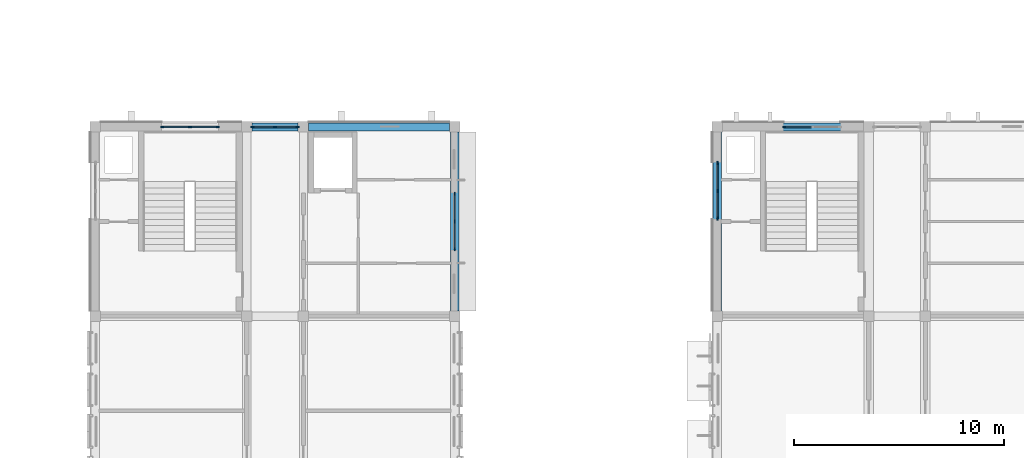
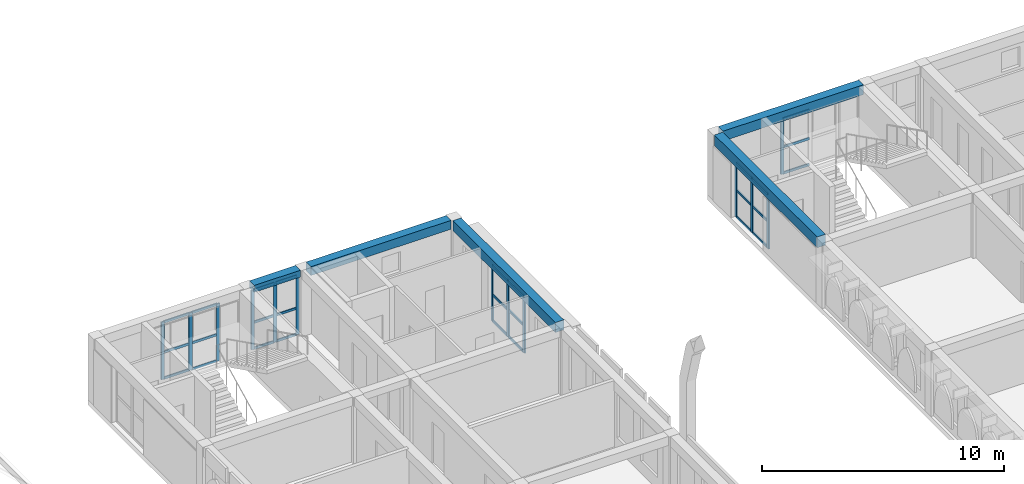
# One storey, part 27 of 65: 40 members, 5 beams, 5 elements without a shape of their own.
"""IFC4 building model written with IfcOpenShell, lengths in metres."""

from ifc_helpers import new_model, si_unit, direction, frame, origin, origin_2d, place, context, subcontext, project, spatial, rectangle, extrude, material, layer, layer_set, material_profile, profile_set, type_object, element, aggregate, save


model = new_model("IFC4")

# Units and contexts
model_context = context("Model", 3, precision=1e-05, world=origin(), true_north=direction((0.0, 1.0)))
body_context = subcontext(model_context, "Body", "Model", "MODEL_VIEW")
ifc_project = project(units=[si_unit("LENGTHUNIT", "METRE"), si_unit("AREAUNIT", "SQUARE_METRE"), si_unit("VOLUMEUNIT", "CUBIC_METRE"), si_unit("PLANEANGLEUNIT", "RADIAN"), si_unit("MASSUNIT", "GRAM", prefix="KILO")], contexts=[model_context])

# Site, building, storey
site_placement = place(None, origin())
site = spatial("IfcSite", under=ifc_project, at=site_placement, CompositionType="ELEMENT")
building_placement = place(site_placement, origin())
building = spatial("IfcBuilding", under=site, at=building_placement, Name="Elbe Cascade School", CompositionType="ELEMENT")
storey_placement = place(building_placement, frame((0.0, 0.0, 11.699951171875)))
storey = spatial("IfcBuildingStorey", under=building, at=storey_placement, Name="L03", CompositionType="ELEMENT", Elevation=11.699951171875)

# Curtain wall, members
ifc_material_1 = material(Name="Aluminium frame with double glazing, bronze anodised", Category="aluminium")
ifc_layer = layer(ifc_material_1, 0.159912109375)
ifc_layer_set = layer_set([ifc_layer], Name="Aluminium frame with double glazing, bronze anodised")
curtain_wall_type = type_object("IfcCurtainWallType", Name="Bars envelope Curtain wall, aluminium, bronze anodised, storey-high slot", PredefinedType="NOTDEFINED", material=ifc_layer_set)
curtain_wall_1_placement = place(storey_placement, origin())
curtain_wall_1 = element("IfcCurtainWall", 1, at=curtain_wall_1_placement, inside=storey, type_object=curtain_wall_type, Name="Curtain wall CW4 A.L03.e6", PredefinedType="NOTDEFINED")
ifc_material_2 = material(Name="Aluminium mullion, bronze anodised", Category="aluminium")
ifc_material_profile_1 = material_profile(ifc_material_2, rectangle(XDim=0.06005859375, YDim=0.159912109375, at=origin_2d()), Name="Bars envelope Curtain wall mullion 60 x 160, aluminium, storey-high slot")
ifc_profile_set_1 = profile_set([ifc_material_profile_1], Name="Aluminium mullion, bronze anodised")
member_type_1 = type_object("IfcMemberType", Name="Bars envelope Curtain wall mullion 60 x 160, aluminium, storey-high slot", PredefinedType="MULLION", material=ifc_profile_set_1)
member_1_placement = place(storey_placement, frame((86.10009765625, 56.820068359375, 0.0), z_axis=(0.0, 0.0, 1.0), x_axis=(1.0, 0.0, 0.0)))
member_1 = element("IfcMember", 2, at=member_1_placement, type_object=member_type_1, Name="CW4 mullion 1", PredefinedType="MULLION", context=body_context, shape_type="SweptSolid", body=[
    extrude(rectangle(XDim=0.06005859375, YDim=0.159912109375, at=origin_2d()), origin(), (0.0, 0.0, 1.0), 2.85009765625),
])
member_2_placement = place(storey_placement, frame((86.10009765625, 55.5, 0.0), z_axis=(0.0, 0.0, 1.0), x_axis=(1.0, 0.0, 0.0)))
member_2 = element("IfcMember", 3, at=member_2_placement, type_object=member_type_1, Name="CW4 mullion 2", PredefinedType="MULLION", context=body_context, shape_type="SweptSolid", body=[
    extrude(rectangle(XDim=0.06005859375, YDim=0.159912109375, at=origin_2d()), origin(), (0.0, 0.0, 1.0), 2.85009765625),
])
member_3_placement = place(storey_placement, frame((86.10009765625, 54.179931640625, 0.0), z_axis=(0.0, 0.0, 1.0), x_axis=(1.0, 0.0, 0.0)))
member_3 = element("IfcMember", 4, at=member_3_placement, type_object=member_type_1, Name="CW4 mullion 3", PredefinedType="MULLION", context=body_context, shape_type="SweptSolid", body=[
    extrude(rectangle(XDim=0.06005859375, YDim=0.159912109375, at=origin_2d()), origin(), (0.0, 0.0, 1.0), 2.85009765625),
])

curtain_wall_2_placement = place(storey_placement, origin())
curtain_wall_2 = element("IfcCurtainWall", 5, at=curtain_wall_2_placement, inside=storey, type_object=curtain_wall_type, Name="Curtain wall CW4 A.L03.n1", PredefinedType="NOTDEFINED")
member_4_placement = place(storey_placement, frame((72.179931640625, 60.0, 0.0), z_axis=(0.0, 0.0, 1.0), x_axis=(0.0, 1.0, 0.0)))
member_4 = element("IfcMember", 6, at=member_4_placement, type_object=member_type_1, Name="CW4 mullion 1", PredefinedType="MULLION", context=body_context, shape_type="SweptSolid", body=[
    extrude(rectangle(XDim=0.06005859375, YDim=0.159912109375, at=origin_2d()), origin(), (0.0, 0.0, 1.0), 2.900146484375),
])
member_5_placement = place(storey_placement, frame((73.5, 60.0, 0.0), z_axis=(0.0, 0.0, 1.0), x_axis=(0.0, 1.0, 0.0)))
member_5 = element("IfcMember", 7, at=member_5_placement, type_object=member_type_1, Name="CW4 mullion 2", PredefinedType="MULLION", context=body_context, shape_type="SweptSolid", body=[
    extrude(rectangle(XDim=0.06005859375, YDim=0.159912109375, at=origin_2d()), origin(), (0.0, 0.0, 1.0), 2.900146484375),
])
member_6_placement = place(storey_placement, frame((74.820068359375, 60.0, 0.0), z_axis=(0.0, 0.0, 1.0), x_axis=(0.0, 1.0, 0.0)))
member_6 = element("IfcMember", 8, at=member_6_placement, type_object=member_type_1, Name="CW4 mullion 3", PredefinedType="MULLION", context=body_context, shape_type="SweptSolid", body=[
    extrude(rectangle(XDim=0.06005859375, YDim=0.159912109375, at=origin_2d()), origin(), (0.0, 0.0, 1.0), 2.900146484375),
])

curtain_wall_3_placement = place(storey_placement, origin())
curtain_wall_3 = element("IfcCurtainWall", 9, at=curtain_wall_3_placement, inside=storey, type_object=curtain_wall_type, Name="Curtain wall CW4 A.L03.n2", PredefinedType="NOTDEFINED")
member_7_placement = place(storey_placement, frame((76.47998046875, 60.0, 0.0), z_axis=(0.0, 0.0, 1.0), x_axis=(0.0, 1.0, 0.0)))
member_7 = element("IfcMember", 10, at=member_7_placement, type_object=member_type_1, Name="CW4 mullion 1", PredefinedType="MULLION", context=body_context, shape_type="SweptSolid", body=[
    extrude(rectangle(XDim=0.06005859375, YDim=0.159912109375, at=origin_2d()), origin(), (0.0, 0.0, 1.0), 3.0),
])
member_8_placement = place(storey_placement, frame((77.550048828125, 60.0, 0.0), z_axis=(0.0, 0.0, 1.0), x_axis=(0.0, 1.0, 0.0)))
member_8 = element("IfcMember", 11, at=member_8_placement, type_object=member_type_1, Name="CW4 mullion 2", PredefinedType="MULLION", context=body_context, shape_type="SweptSolid", body=[
    extrude(rectangle(XDim=0.06005859375, YDim=0.159912109375, at=origin_2d()), origin(), (0.0, 0.0, 1.0), 3.0),
])
member_9_placement = place(storey_placement, frame((78.6201171875, 60.0, 0.0), z_axis=(0.0, 0.0, 1.0), x_axis=(0.0, 1.0, 0.0)))
member_9 = element("IfcMember", 12, at=member_9_placement, type_object=member_type_1, Name="CW4 mullion 3", PredefinedType="MULLION", context=body_context, shape_type="SweptSolid", body=[
    extrude(rectangle(XDim=0.06005859375, YDim=0.159912109375, at=origin_2d()), origin(), (0.0, 0.0, 1.0), 3.0),
])

curtain_wall_4_placement = place(storey_placement, origin())
curtain_wall_4 = element("IfcCurtainWall", 13, at=curtain_wall_4_placement, inside=storey, type_object=curtain_wall_type, Name="Curtain wall CW4 B.L03.w6", PredefinedType="NOTDEFINED")
member_10_placement = place(storey_placement, frame((98.60009765625, 55.639892578125, 0.0), z_axis=(0.0, 0.0, 1.0), x_axis=(-1.0, 0.0, 0.0)))
member_10 = element("IfcMember", 14, at=member_10_placement, type_object=member_type_1, Name="CW4 mullion 1", PredefinedType="MULLION", context=body_context, shape_type="SweptSolid", body=[
    extrude(rectangle(XDim=0.06005859375, YDim=0.159912109375, at=origin_2d()), origin(), (0.0, 0.0, 1.0), 2.75),
])
member_11_placement = place(storey_placement, frame((98.60009765625, 56.9599609375, 0.0), z_axis=(0.0, 0.0, 1.0), x_axis=(-1.0, 0.0, 0.0)))
member_11 = element("IfcMember", 15, at=member_11_placement, type_object=member_type_1, Name="CW4 mullion 2", PredefinedType="MULLION", context=body_context, shape_type="SweptSolid", body=[
    extrude(rectangle(XDim=0.06005859375, YDim=0.159912109375, at=origin_2d()), origin(), (0.0, 0.0, 1.0), 2.75),
])
member_12_placement = place(storey_placement, frame((98.60009765625, 58.280029296875, 0.0), z_axis=(0.0, 0.0, 1.0), x_axis=(-1.0, 0.0, 0.0)))
member_12 = element("IfcMember", 16, at=member_12_placement, type_object=member_type_1, Name="CW4 mullion 3", PredefinedType="MULLION", context=body_context, shape_type="SweptSolid", body=[
    extrude(rectangle(XDim=0.06005859375, YDim=0.159912109375, at=origin_2d()), origin(), (0.0, 0.0, 1.0), 2.75),
])

# Curtain wall, member
curtain_wall_5_placement = place(storey_placement, origin())
curtain_wall_5 = element("IfcCurtainWall", 17, at=curtain_wall_5_placement, inside=storey, type_object=curtain_wall_type, Name="Curtain wall CW4 B.L03.n1", PredefinedType="NOTDEFINED")
member_13_placement = place(storey_placement, frame((101.780029296875, 60.0, 0.0), z_axis=(0.0, 0.0, 1.0), x_axis=(0.0, 1.0, 0.0)))
member_13 = element("IfcMember", 18, at=member_13_placement, type_object=member_type_1, Name="CW4 mullion 1", PredefinedType="MULLION", context=body_context, shape_type="SweptSolid", body=[
    extrude(rectangle(XDim=0.06005859375, YDim=0.159912109375, at=origin_2d()), origin(), (0.0, 0.0, 1.0), 2.800048828125),
])

# Member
ifc_material_3 = material(Name="Aluminium transom, bronze anodised", Category="aluminium")
ifc_material_profile_2 = material_profile(ifc_material_3, rectangle(XDim=0.06005859375, YDim=0.1201171875, at=origin_2d()), Name="Bars envelope Curtain wall transom 60 x 120, aluminium, storey-high slot")
ifc_profile_set_2 = profile_set([ifc_material_profile_2], Name="Aluminium transom, bronze anodised")
member_type_2 = type_object("IfcMemberType", Name="Bars envelope Curtain wall transom 60 x 120, aluminium, storey-high slot", PredefinedType="USERDEFINED", material=ifc_profile_set_2)
member_14_placement = place(storey_placement, frame((86.10009765625, 56.7900390625, 0.030029296875), z_axis=(0.0, -1.0, 0.0), x_axis=(1.0, 0.0, 0.0)))
member_14 = element("IfcMember", 19, at=member_14_placement, type_object=member_type_2, Name="CW4 transom 1.1", ObjectType="TRANSOM", PredefinedType="USERDEFINED", context=body_context, shape_type="SweptSolid", body=[
    extrude(rectangle(XDim=0.06005859375, YDim=0.1201171875, at=origin_2d()), origin(), (0.0, 0.0, 1.0), 1.260009765625),
])

member_15_placement = place(storey_placement, frame((86.10009765625, 56.7900390625, 1.35009765625), z_axis=(0.0, -1.0, 0.0), x_axis=(1.0, 0.0, 0.0)))
member_15 = element("IfcMember", 20, at=member_15_placement, type_object=member_type_2, Name="CW4 transom 1.2", ObjectType="TRANSOM", PredefinedType="USERDEFINED", context=body_context, shape_type="SweptSolid", body=[
    extrude(rectangle(XDim=0.06005859375, YDim=0.1201171875, at=origin_2d()), origin(), (0.0, 0.0, 1.0), 1.260009765625),
])

member_16_placement = place(storey_placement, frame((86.10009765625, 56.7900390625, 2.820068359375), z_axis=(0.0, -1.0, 0.0), x_axis=(1.0, 0.0, 0.0)))
member_16 = element("IfcMember", 21, at=member_16_placement, type_object=member_type_2, Name="CW4 transom 1.3", ObjectType="TRANSOM", PredefinedType="USERDEFINED", context=body_context, shape_type="SweptSolid", body=[
    extrude(rectangle(XDim=0.06005859375, YDim=0.1201171875, at=origin_2d()), origin(), (0.0, 0.0, 1.0), 1.260009765625),
])

member_17_placement = place(storey_placement, frame((86.10009765625, 55.469970703125, 0.030029296875), z_axis=(0.0, -1.0, 0.0), x_axis=(1.0, 0.0, 0.0)))
member_17 = element("IfcMember", 22, at=member_17_placement, type_object=member_type_2, Name="CW4 transom 2.1", ObjectType="TRANSOM", PredefinedType="USERDEFINED", context=body_context, shape_type="SweptSolid", body=[
    extrude(rectangle(XDim=0.06005859375, YDim=0.1201171875, at=origin_2d()), origin(), (0.0, 0.0, 1.0), 1.260009765625),
])

member_18_placement = place(storey_placement, frame((86.10009765625, 55.469970703125, 1.35009765625), z_axis=(0.0, -1.0, 0.0), x_axis=(1.0, 0.0, 0.0)))
member_18 = element("IfcMember", 23, at=member_18_placement, type_object=member_type_2, Name="CW4 transom 2.2", ObjectType="TRANSOM", PredefinedType="USERDEFINED", context=body_context, shape_type="SweptSolid", body=[
    extrude(rectangle(XDim=0.06005859375, YDim=0.1201171875, at=origin_2d()), origin(), (0.0, 0.0, 1.0), 1.260009765625),
])

member_19_placement = place(storey_placement, frame((86.10009765625, 55.469970703125, 2.820068359375), z_axis=(0.0, -1.0, 0.0), x_axis=(1.0, 0.0, 0.0)))
member_19 = element("IfcMember", 24, at=member_19_placement, type_object=member_type_2, Name="CW4 transom 2.3", ObjectType="TRANSOM", PredefinedType="USERDEFINED", context=body_context, shape_type="SweptSolid", body=[
    extrude(rectangle(XDim=0.06005859375, YDim=0.1201171875, at=origin_2d()), origin(), (0.0, 0.0, 1.0), 1.260009765625),
])

aggregate(curtain_wall_1, [member_1, member_2, member_3, member_14, member_15, member_16, member_17, member_18, member_19])

member_20_placement = place(storey_placement, frame((72.2099609375, 60.0, 0.030029296875), z_axis=(1.0, 0.0, 0.0), x_axis=(0.0, 1.0, 0.0)))
member_20 = element("IfcMember", 25, at=member_20_placement, type_object=member_type_2, Name="CW4 transom 1.1", ObjectType="TRANSOM", PredefinedType="USERDEFINED", context=body_context, shape_type="SweptSolid", body=[
    extrude(rectangle(XDim=0.06005859375, YDim=0.1201171875, at=origin_2d()), origin(), (0.0, 0.0, 1.0), 1.260009765625),
])

member_21_placement = place(storey_placement, frame((72.2099609375, 60.0, 1.35009765625), z_axis=(1.0, 0.0, 0.0), x_axis=(0.0, 1.0, 0.0)))
member_21 = element("IfcMember", 26, at=member_21_placement, type_object=member_type_2, Name="CW4 transom 1.2", ObjectType="TRANSOM", PredefinedType="USERDEFINED", context=body_context, shape_type="SweptSolid", body=[
    extrude(rectangle(XDim=0.06005859375, YDim=0.1201171875, at=origin_2d()), origin(), (0.0, 0.0, 1.0), 1.260009765625),
])

member_22_placement = place(storey_placement, frame((72.2099609375, 60.0, 2.8701171875), z_axis=(1.0, 0.0, 0.0), x_axis=(0.0, 1.0, 0.0)))
member_22 = element("IfcMember", 27, at=member_22_placement, type_object=member_type_2, Name="CW4 transom 1.3", ObjectType="TRANSOM", PredefinedType="USERDEFINED", context=body_context, shape_type="SweptSolid", body=[
    extrude(rectangle(XDim=0.06005859375, YDim=0.1201171875, at=origin_2d()), origin(), (0.0, 0.0, 1.0), 1.260009765625),
])

member_23_placement = place(storey_placement, frame((73.530029296875, 60.0, 0.030029296875), z_axis=(1.0, 0.0, 0.0), x_axis=(0.0, 1.0, 0.0)))
member_23 = element("IfcMember", 28, at=member_23_placement, type_object=member_type_2, Name="CW4 transom 2.1", ObjectType="TRANSOM", PredefinedType="USERDEFINED", context=body_context, shape_type="SweptSolid", body=[
    extrude(rectangle(XDim=0.06005859375, YDim=0.1201171875, at=origin_2d()), origin(), (0.0, 0.0, 1.0), 1.260009765625),
])

member_24_placement = place(storey_placement, frame((73.530029296875, 60.0, 1.35009765625), z_axis=(1.0, 0.0, 0.0), x_axis=(0.0, 1.0, 0.0)))
member_24 = element("IfcMember", 29, at=member_24_placement, type_object=member_type_2, Name="CW4 transom 2.2", ObjectType="TRANSOM", PredefinedType="USERDEFINED", context=body_context, shape_type="SweptSolid", body=[
    extrude(rectangle(XDim=0.06005859375, YDim=0.1201171875, at=origin_2d()), origin(), (0.0, 0.0, 1.0), 1.260009765625),
])

member_25_placement = place(storey_placement, frame((73.530029296875, 60.0, 2.8701171875), z_axis=(1.0, 0.0, 0.0), x_axis=(0.0, 1.0, 0.0)))
member_25 = element("IfcMember", 30, at=member_25_placement, type_object=member_type_2, Name="CW4 transom 2.3", ObjectType="TRANSOM", PredefinedType="USERDEFINED", context=body_context, shape_type="SweptSolid", body=[
    extrude(rectangle(XDim=0.06005859375, YDim=0.1201171875, at=origin_2d()), origin(), (0.0, 0.0, 1.0), 1.260009765625),
])

aggregate(curtain_wall_2, [member_4, member_5, member_6, member_20, member_21, member_22, member_23, member_24, member_25])

member_26_placement = place(storey_placement, frame((76.510009765625, 60.0, 0.030029296875), z_axis=(1.0, 0.0, 0.0), x_axis=(0.0, 1.0, 0.0)))
member_26 = element("IfcMember", 31, at=member_26_placement, type_object=member_type_2, Name="CW4 transom 1.1", ObjectType="TRANSOM", PredefinedType="USERDEFINED", context=body_context, shape_type="SweptSolid", body=[
    extrude(rectangle(XDim=0.06005859375, YDim=0.1201171875, at=origin_2d()), origin(), (0.0, 0.0, 1.0), 1.010009765625),
])

member_27_placement = place(storey_placement, frame((76.510009765625, 60.0, 1.35009765625), z_axis=(1.0, 0.0, 0.0), x_axis=(0.0, 1.0, 0.0)))
member_27 = element("IfcMember", 32, at=member_27_placement, type_object=member_type_2, Name="CW4 transom 1.2", ObjectType="TRANSOM", PredefinedType="USERDEFINED", context=body_context, shape_type="SweptSolid", body=[
    extrude(rectangle(XDim=0.06005859375, YDim=0.1201171875, at=origin_2d()), origin(), (0.0, 0.0, 1.0), 1.010009765625),
])

member_28_placement = place(storey_placement, frame((76.510009765625, 60.0, 2.969970703125), z_axis=(1.0, 0.0, 0.0), x_axis=(0.0, 1.0, 0.0)))
member_28 = element("IfcMember", 33, at=member_28_placement, type_object=member_type_2, Name="CW4 transom 1.3", ObjectType="TRANSOM", PredefinedType="USERDEFINED", context=body_context, shape_type="SweptSolid", body=[
    extrude(rectangle(XDim=0.06005859375, YDim=0.1201171875, at=origin_2d()), origin(), (0.0, 0.0, 1.0), 1.010009765625),
])

member_29_placement = place(storey_placement, frame((77.580078125, 60.0, 0.030029296875), z_axis=(1.0, 0.0, 0.0), x_axis=(0.0, 1.0, 0.0)))
member_29 = element("IfcMember", 34, at=member_29_placement, type_object=member_type_2, Name="CW4 transom 2.1", ObjectType="TRANSOM", PredefinedType="USERDEFINED", context=body_context, shape_type="SweptSolid", body=[
    extrude(rectangle(XDim=0.06005859375, YDim=0.1201171875, at=origin_2d()), origin(), (0.0, 0.0, 1.0), 1.010009765625),
])

member_30_placement = place(storey_placement, frame((77.580078125, 60.0, 1.35009765625), z_axis=(1.0, 0.0, 0.0), x_axis=(0.0, 1.0, 0.0)))
member_30 = element("IfcMember", 35, at=member_30_placement, type_object=member_type_2, Name="CW4 transom 2.2", ObjectType="TRANSOM", PredefinedType="USERDEFINED", context=body_context, shape_type="SweptSolid", body=[
    extrude(rectangle(XDim=0.06005859375, YDim=0.1201171875, at=origin_2d()), origin(), (0.0, 0.0, 1.0), 1.010009765625),
])

member_31_placement = place(storey_placement, frame((77.580078125, 60.0, 2.969970703125), z_axis=(1.0, 0.0, 0.0), x_axis=(0.0, 1.0, 0.0)))
member_31 = element("IfcMember", 36, at=member_31_placement, type_object=member_type_2, Name="CW4 transom 2.3", ObjectType="TRANSOM", PredefinedType="USERDEFINED", context=body_context, shape_type="SweptSolid", body=[
    extrude(rectangle(XDim=0.06005859375, YDim=0.1201171875, at=origin_2d()), origin(), (0.0, 0.0, 1.0), 1.010009765625),
])

aggregate(curtain_wall_3, [member_7, member_8, member_9, member_26, member_27, member_28, member_29, member_30, member_31])

member_32_placement = place(storey_placement, frame((98.60009765625, 55.669921875, 0.030029296875), z_axis=(0.0, 1.0, 0.0), x_axis=(-1.0, 0.0, 0.0)))
member_32 = element("IfcMember", 37, at=member_32_placement, type_object=member_type_2, Name="CW4 transom 1.1", ObjectType="TRANSOM", PredefinedType="USERDEFINED", context=body_context, shape_type="SweptSolid", body=[
    extrude(rectangle(XDim=0.06005859375, YDim=0.1201171875, at=origin_2d()), origin(), (0.0, 0.0, 1.0), 1.260009765625),
])

member_33_placement = place(storey_placement, frame((98.60009765625, 55.669921875, 1.35009765625), z_axis=(0.0, 1.0, 0.0), x_axis=(-1.0, 0.0, 0.0)))
member_33 = element("IfcMember", 38, at=member_33_placement, type_object=member_type_2, Name="CW4 transom 1.2", ObjectType="TRANSOM", PredefinedType="USERDEFINED", context=body_context, shape_type="SweptSolid", body=[
    extrude(rectangle(XDim=0.06005859375, YDim=0.1201171875, at=origin_2d()), origin(), (0.0, 0.0, 1.0), 1.260009765625),
])

member_34_placement = place(storey_placement, frame((98.60009765625, 55.669921875, 2.719970703125), z_axis=(0.0, 1.0, 0.0), x_axis=(-1.0, 0.0, 0.0)))
member_34 = element("IfcMember", 39, at=member_34_placement, type_object=member_type_2, Name="CW4 transom 1.3", ObjectType="TRANSOM", PredefinedType="USERDEFINED", context=body_context, shape_type="SweptSolid", body=[
    extrude(rectangle(XDim=0.06005859375, YDim=0.1201171875, at=origin_2d()), origin(), (0.0, 0.0, 1.0), 1.260009765625),
])

member_35_placement = place(storey_placement, frame((98.60009765625, 56.989990234375, 0.030029296875), z_axis=(0.0, 1.0, 0.0), x_axis=(-1.0, 0.0, 0.0)))
member_35 = element("IfcMember", 40, at=member_35_placement, type_object=member_type_2, Name="CW4 transom 2.1", ObjectType="TRANSOM", PredefinedType="USERDEFINED", context=body_context, shape_type="SweptSolid", body=[
    extrude(rectangle(XDim=0.06005859375, YDim=0.1201171875, at=origin_2d()), origin(), (0.0, 0.0, 1.0), 1.260009765625),
])

member_36_placement = place(storey_placement, frame((98.60009765625, 56.989990234375, 1.35009765625), z_axis=(0.0, 1.0, 0.0), x_axis=(-1.0, 0.0, 0.0)))
member_36 = element("IfcMember", 41, at=member_36_placement, type_object=member_type_2, Name="CW4 transom 2.2", ObjectType="TRANSOM", PredefinedType="USERDEFINED", context=body_context, shape_type="SweptSolid", body=[
    extrude(rectangle(XDim=0.06005859375, YDim=0.1201171875, at=origin_2d()), origin(), (0.0, 0.0, 1.0), 1.260009765625),
])

member_37_placement = place(storey_placement, frame((98.60009765625, 56.989990234375, 2.719970703125), z_axis=(0.0, 1.0, 0.0), x_axis=(-1.0, 0.0, 0.0)))
member_37 = element("IfcMember", 42, at=member_37_placement, type_object=member_type_2, Name="CW4 transom 2.3", ObjectType="TRANSOM", PredefinedType="USERDEFINED", context=body_context, shape_type="SweptSolid", body=[
    extrude(rectangle(XDim=0.06005859375, YDim=0.1201171875, at=origin_2d()), origin(), (0.0, 0.0, 1.0), 1.260009765625),
])

aggregate(curtain_wall_4, [member_10, member_11, member_12, member_32, member_33, member_34, member_35, member_36, member_37])

member_38_placement = place(storey_placement, frame((101.81005859375, 60.0, 0.030029296875), z_axis=(1.0, 0.0, 0.0), x_axis=(0.0, 1.0, 0.0)))
member_38 = element("IfcMember", 43, at=member_38_placement, type_object=member_type_2, Name="CW4 transom 1.1", ObjectType="TRANSOM", PredefinedType="USERDEFINED", context=body_context, shape_type="SweptSolid", body=[
    extrude(rectangle(XDim=0.06005859375, YDim=0.1201171875, at=origin_2d()), origin(), (0.0, 0.0, 1.0), 1.260009765625),
])

member_39_placement = place(storey_placement, frame((101.81005859375, 60.0, 1.35009765625), z_axis=(1.0, 0.0, 0.0), x_axis=(0.0, 1.0, 0.0)))
member_39 = element("IfcMember", 44, at=member_39_placement, type_object=member_type_2, Name="CW4 transom 1.2", ObjectType="TRANSOM", PredefinedType="USERDEFINED", context=body_context, shape_type="SweptSolid", body=[
    extrude(rectangle(XDim=0.06005859375, YDim=0.1201171875, at=origin_2d()), origin(), (0.0, 0.0, 1.0), 1.260009765625),
])

member_40_placement = place(storey_placement, frame((101.81005859375, 60.0, 2.77001953125), z_axis=(1.0, 0.0, 0.0), x_axis=(0.0, 1.0, 0.0)))
member_40 = element("IfcMember", 45, at=member_40_placement, type_object=member_type_2, Name="CW4 transom 1.3", ObjectType="TRANSOM", PredefinedType="USERDEFINED", context=body_context, shape_type="SweptSolid", body=[
    extrude(rectangle(XDim=0.06005859375, YDim=0.1201171875, at=origin_2d()), origin(), (0.0, 0.0, 1.0), 1.260009765625),
])

aggregate(curtain_wall_5, [member_13, member_38, member_39, member_40])

# Beams
ifc_material_4 = material(Name="Concrete C30/37", Category="concrete")
ifc_material_profile_3 = material_profile(ifc_material_4, rectangle(XDim=0.39990234375, YDim=0.35009765625, at=origin_2d()), Name="RC 400x350")
ifc_profile_set_3 = profile_set([ifc_material_profile_3], Name="Concrete C30/37")
beam_type_1 = type_object("IfcBeamType", Name="RC 400x350 beam", PredefinedType="BEAM", material=ifc_profile_set_3)
beam_1_placement = place(storey_placement, frame((76.449951171875, 60.0, 3.175048828125), z_axis=(1.0, 0.0, 0.0), x_axis=(0.0, 1.0, 0.0)))
element("IfcBeam", 46, at=beam_1_placement, inside=storey, type_object=beam_type_1, Name="RC 400x350 beam B3", PredefinedType="BEAM", context=body_context, shape_type="SweptSolid", body=[
    extrude(rectangle(XDim=0.39990234375, YDim=0.35009765625, at=origin_2d()), origin(), (0.0, 0.0, 1.0), 2.199951171875),
])
ifc_material_5 = material(Name="Concrete C30/37", Category="concrete")
ifc_material_profile_4 = material_profile(ifc_material_5, rectangle(XDim=0.39990234375, YDim=0.449951171875, at=origin_2d()), Name="RC 400x450")
ifc_profile_set_4 = profile_set([ifc_material_profile_4], Name="Concrete C30/37")
beam_type_2 = type_object("IfcBeamType", Name="RC 400x450 beam", PredefinedType="BEAM", material=ifc_profile_set_4)
beam_2_placement = place(storey_placement, frame((79.14990234375, 60.0, 3.125), z_axis=(1.0, 0.0, 0.0), x_axis=(0.0, 1.0, 0.0)))
element("IfcBeam", 47, at=beam_2_placement, inside=storey, type_object=beam_type_2, Name="RC 400x450 beam B2", PredefinedType="BEAM", context=body_context, shape_type="SweptSolid", body=[
    extrude(rectangle(XDim=0.39990234375, YDim=0.449951171875, at=origin_2d()), origin(), (0.0, 0.0, 1.0), 6.7001953125),
])
ifc_material_6 = material(Name="Concrete C30/37", Category="concrete")
ifc_material_profile_5 = material_profile(ifc_material_6, rectangle(XDim=0.39990234375, YDim=0.5, at=origin_2d()), Name="RC 400x500")
ifc_profile_set_5 = profile_set([ifc_material_profile_5], Name="Concrete C30/37")
beam_type_3 = type_object("IfcBeamType", Name="RC 400x500 beam", PredefinedType="BEAM", material=ifc_profile_set_5)
beam_3_placement = place(storey_placement, frame((86.10009765625, 51.25, 3.10009765625), z_axis=(0.0, 1.0, 0.0), x_axis=(-1.0, 0.0, 0.0)))
element("IfcBeam", 48, at=beam_3_placement, inside=storey, type_object=beam_type_3, Name="RC 400x500 beam B1", PredefinedType="BEAM", context=body_context, shape_type="SweptSolid", body=[
    extrude(rectangle(XDim=0.39990234375, YDim=0.5, at=origin_2d()), origin(), (0.0, 0.0, 1.0), 8.5),
])
beam_4_placement = place(storey_placement, frame((98.85009765625, 60.0, 3.050048828125), z_axis=(1.0, 0.0, 0.0), x_axis=(0.0, 1.0, 0.0)))
element("IfcBeam", 49, at=beam_4_placement, inside=storey, type_object=beam_type_3, Name="RC 400x500 beam B1", PredefinedType="BEAM", context=body_context, shape_type="SweptSolid", body=[
    extrude(rectangle(XDim=0.39990234375, YDim=0.5, at=origin_2d()), origin(), (0.0, 0.0, 1.0), 6.699951171875),
])
ifc_material_7 = material(Name="Concrete C30/37", Category="concrete")
ifc_material_profile_6 = material_profile(ifc_material_7, rectangle(XDim=0.39990234375, YDim=0.550048828125, at=origin_2d()), Name="RC 400x550")
ifc_profile_set_6 = profile_set([ifc_material_profile_6], Name="Concrete C30/37")
beam_type_4 = type_object("IfcBeamType", Name="RC 400x550 beam", PredefinedType="BEAM", material=ifc_profile_set_6)
beam_5_placement = place(storey_placement, frame((98.60009765625, 51.25, 3.025146484375), z_axis=(0.0, 1.0, 0.0), x_axis=(-1.0, 0.0, 0.0)))
element("IfcBeam", 50, at=beam_5_placement, inside=storey, type_object=beam_type_4, Name="RC 400x550 beam B4", PredefinedType="BEAM", context=body_context, shape_type="SweptSolid", body=[
    extrude(rectangle(XDim=0.39990234375, YDim=0.550048828125, at=origin_2d()), origin(), (0.0, 0.0, 1.0), 8.5),
])

save(model, "model.ifc")
